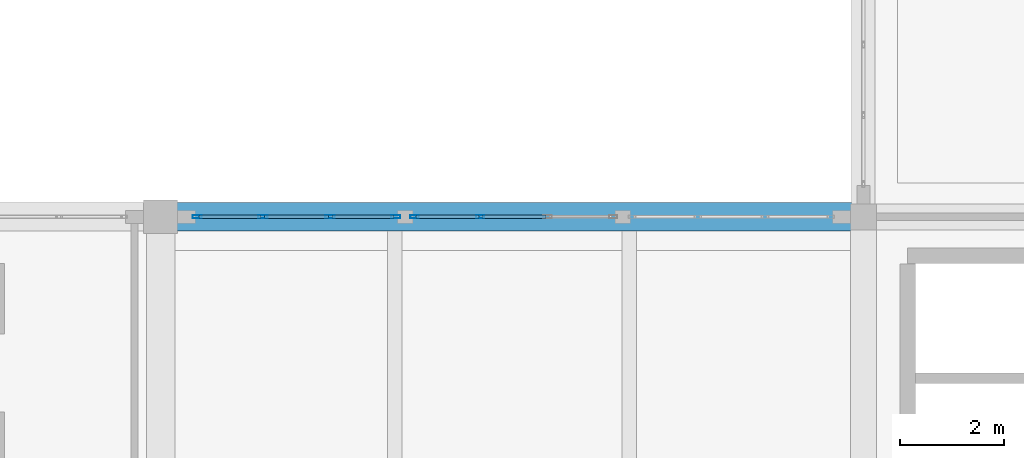
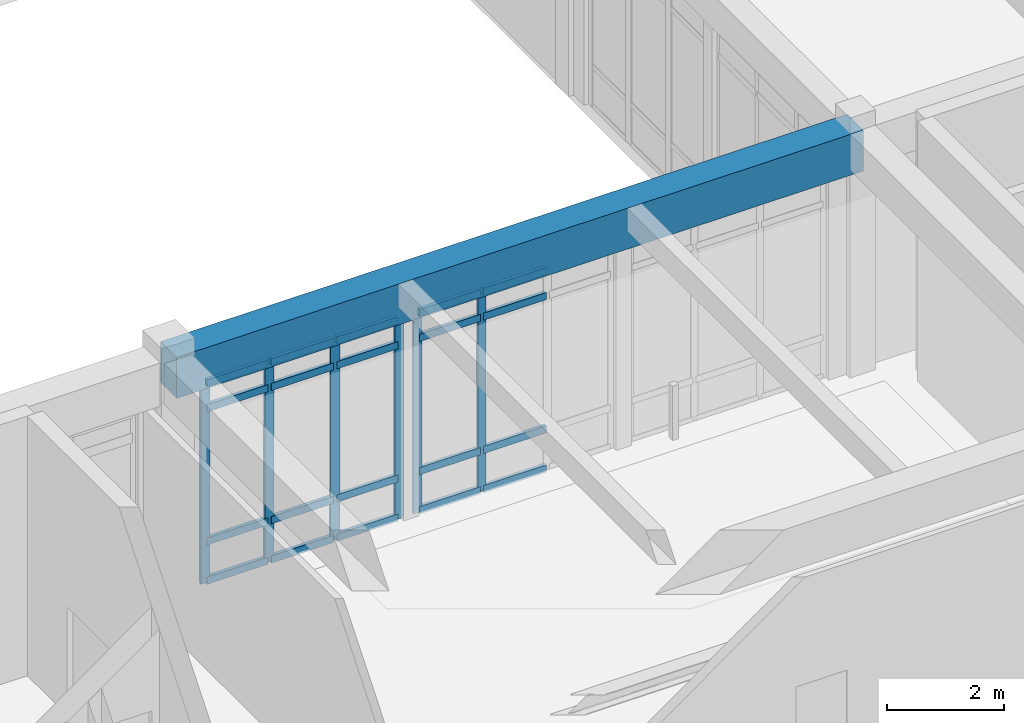
# One storey, part 8 of 138: 26 members, 1 beam, 2 elements without a shape of their own.
"""IFC4 building model written with IfcOpenShell, lengths in metres."""

import ifcopenshell
import ifcopenshell.guid

model = None  # the IFC model being written
_history = None  # IfcOwnerHistory: only IFC2X3 demands one
_inside = {}  # id of a spatial element -> (the spatial element, [elements in it])
_under = {}  # id of a project, library or spatial element -> (it, [spatial elements below it])
_declared = {}  # id of a project -> (the project, [libraries it declares])
_typed = {}  # id of a type object -> (the type object, [elements of that type])
_made_of = {}  # id of a material, layer set ... -> (it, [elements and type objects made of it])


def new_model(schema):
    """Start an empty IFC model of exactly this schema.

    Asked for "IFC4X3", IfcOpenShell would pick the latest addendum, in which some entities
    have other attributes; the version numbers below select the first issue.
    IFC2X3 requires an IfcOwnerHistory on every rooted entity: one is made here for all.
    """
    global model, _history
    if schema == "IFC4X3":
        model = ifcopenshell.file(schema_version=(4, 3, 0, 0))
    else:
        model = ifcopenshell.file(schema=schema)
    _inside.clear()
    _under.clear()
    _declared.clear()
    _typed.clear()
    _made_of.clear()
    _history = None
    if model.schema == "IFC2X3":
        org = make("IfcOrganization", Name="unknown")
        user = make(
            "IfcPersonAndOrganization",
            ThePerson=make("IfcPerson", FamilyName="unknown"),
            TheOrganization=org,
        )
        app = make(
            "IfcApplication",
            ApplicationDeveloper=org,
            Version="unknown",
            ApplicationFullName="unknown",
            ApplicationIdentifier="unknown",
        )
        _history = make(
            "IfcOwnerHistory",
            OwningUser=user,
            OwningApplication=app,
            ChangeAction="ADDED",
            CreationDate=0,
        )
    return model


def make(cls, **values):
    """One entity of the class cls with the attributes given. An attribute that is None is left unset."""
    return model.create_entity(
        cls, **{name: value for name, value in values.items() if value is not None}
    )


def rooted(cls, **values):
    """An entity with a GlobalId (a new one), such as an element, a storey or a relation."""
    return make(cls, GlobalId=ifcopenshell.guid.new(), OwnerHistory=_history, **values)


def si_unit(unit_type, name, prefix=None):
    """IfcSIUnit, for example si_unit("LENGTHUNIT", "METRE", prefix="MILLI")."""
    return make("IfcSIUnit", UnitType=unit_type, Prefix=prefix, Name=name)


def assignment(units):
    """IfcUnitAssignment: the units of a project."""
    return None if units is None else make("IfcUnitAssignment", Units=units)


def point(xyz):
    """IfcCartesianPoint."""
    return None if xyz is None else make("IfcCartesianPoint", Coordinates=xyz)


def direction(xyz):
    """IfcDirection."""
    return None if xyz is None else make("IfcDirection", DirectionRatios=xyz)


def frame(location, z_axis=None, x_axis=None):
    """IfcAxis2Placement3D, a coordinate frame: its origin and axes. An axis left out is left unset."""
    return make(
        "IfcAxis2Placement3D",
        Location=point(location),
        Axis=direction(z_axis),
        RefDirection=direction(x_axis),
    )


def frame_2d(location, x_axis=None):
    """IfcAxis2Placement2D, a coordinate frame in the plane: its origin and x axis."""
    return make(
        "IfcAxis2Placement2D", Location=point(location), RefDirection=direction(x_axis)
    )


def origin():
    """The frame at (0, 0, 0) with its axes left unset."""
    return frame((0.0, 0.0, 0.0))


def origin_2d():
    """The frame at (0, 0) in the plane with its x axis left unset."""
    return frame_2d((0.0, 0.0))


def place(relative_to, where):
    """IfcLocalPlacement: puts the frame where relative to a parent placement (None: the world)."""
    return make(
        "IfcLocalPlacement", PlacementRelTo=relative_to, RelativePlacement=where
    )


def context(
    kind, dimensions, precision=None, world=None, true_north=None, identifier=None
):
    """IfcGeometricRepresentationContext, for example the 3D "Model" context."""
    return make(
        "IfcGeometricRepresentationContext",
        ContextIdentifier=identifier,
        ContextType=kind,
        CoordinateSpaceDimension=dimensions,
        Precision=precision,
        WorldCoordinateSystem=world,
        TrueNorth=true_north,
    )


def subcontext(parent, identifier, kind, view, scale=None):
    """IfcGeometricRepresentationSubContext, for example "Body" below "Model"."""
    return make(
        "IfcGeometricRepresentationSubContext",
        ContextIdentifier=identifier,
        ContextType=kind,
        ParentContext=parent,
        TargetScale=scale,
        TargetView=view,
    )


def project(units=None, contexts=None):
    """IfcProject with its units and contexts."""
    return rooted(
        "IfcProject",
        Name="project",
        RepresentationContexts=contexts,
        UnitsInContext=assignment(units),
    )


def spatial(cls, under=None, at=None, **own):
    """A site, building, storey or space (cls), placed at a placement, below another one or the project."""
    s = rooted(cls, ObjectPlacement=at, **own)
    if under is not None:
        _under.setdefault(under.id(), (under, []))[1].append(s)
    return s


def profile(cls, at=None, kind="AREA", **sizes):
    """A parametric profile (cls). Its sizes go by their IFC names, for example OverallWidth=200.0."""
    return make(cls, ProfileType=kind, Position=at, **sizes)


def rectangle(**sizes):
    """IfcRectangleProfileDef."""
    return profile("IfcRectangleProfileDef", **sizes)


def hollow_rectangle(**sizes):
    """IfcRectangleHollowProfileDef."""
    return profile("IfcRectangleHollowProfileDef", **sizes)


def extrude(swept, where, along, depth):
    """IfcExtrudedAreaSolid: the profile swept, set in the frame where, extruded along a direction by depth."""
    return make(
        "IfcExtrudedAreaSolid",
        SweptArea=swept,
        Position=where,
        ExtrudedDirection=direction(along),
        Depth=depth,
    )


def shape(context_of_items, identifier, shape_type, items):
    """IfcShapeRepresentation: the items that make up one representation, for example the "Body"."""
    return make(
        "IfcShapeRepresentation",
        ContextOfItems=context_of_items,
        RepresentationIdentifier=identifier,
        RepresentationType=shape_type,
        Items=items,
    )


def material(Name=None, Category=None):
    """IfcMaterial."""
    return make("IfcMaterial", Name=Name, Category=Category)


def layer(
    of_material, thickness, ventilated=None, Name=None, Category=None, Priority=None
):
    """IfcMaterialLayer: one layer of a wall or slab, of a material (None: an air gap)."""
    return make(
        "IfcMaterialLayer",
        Material=of_material,
        LayerThickness=thickness,
        IsVentilated=ventilated,
        Name=Name,
        Category=Category,
        Priority=Priority,
    )


def layer_set(layers, Name=None):
    """IfcMaterialLayerSet."""
    return make("IfcMaterialLayerSet", MaterialLayers=layers, LayerSetName=Name)


def material_profile(
    of_material, cross_section, Name=None, Category=None, Priority=None
):
    """IfcMaterialProfile: a cross section and its material."""
    return make(
        "IfcMaterialProfile",
        Name=Name,
        Material=of_material,
        Profile=cross_section,
        Priority=Priority,
        Category=Category,
    )


def profile_set(profiles, Name=None, composite=None):
    """IfcMaterialProfileSet."""
    return make(
        "IfcMaterialProfileSet",
        Name=Name,
        MaterialProfiles=profiles,
        CompositeProfile=composite,
    )


def made_of(thing, what):
    """Note that an element or type object is made of a material, layer set ...; save() writes the relation."""
    if what is not None:
        _made_of.setdefault(what.id(), (what, []))[1].append(thing)
    return thing


def type_object(cls, material=None, **own):
    """A type object (cls), such as IfcWallType, which elements share."""
    return made_of(rooted(cls, **own), material)


def element(
    cls,
    number,
    at=None,
    inside=None,
    cuts=None,
    type_object=None,
    material=None,
    context=None,
    identifier="Body",
    shape_type=None,
    held_by="IfcProductDefinitionShape",
    body=None,
    shapes=None,
    **own,
):
    """One element of the class cls, such as IfcWall. Its Tag is "e" and its number.

    at: its placement. inside: the storey or other place that contains it. cuts: it is an
    opening in that element (IfcRelVoidsElement). A single representation is given by context,
    identifier, shape_type and body (its items); several are given by shapes. held_by: the class
    of the entity that holds the representations. save() writes the other relations.
    """
    e = rooted(cls, Tag="e%d" % number, ObjectPlacement=at, **own)
    if body is not None:
        shapes = [shape(context, identifier, shape_type, body)]
    if shapes is not None:
        e.Representation = make(held_by, Representations=shapes)
    if inside is not None:
        _inside.setdefault(inside.id(), (inside, []))[1].append(e)
    if cuts is not None:
        rooted(
            "IfcRelVoidsElement", RelatingBuildingElement=cuts, RelatedOpeningElement=e
        )
    if type_object is not None:
        _typed.setdefault(type_object.id(), (type_object, []))[1].append(e)
    return made_of(e, material)


def aggregate(whole, parts):
    """IfcRelAggregates: a whole, such as a stair, and the parts it consists of."""
    return rooted("IfcRelAggregates", RelatingObject=whole, RelatedObjects=parts)


def save(model, path):
    """Write the relations noted so far, then the file.

    IfcRelAggregates (storeys below a building ...), IfcRelContainedInSpatialStructure (elements
    in a storey), IfcRelDefinesByType, IfcRelAssociatesMaterial and IfcRelDeclares: one each for
    every whole, place, type object, material and project.
    """
    for whole, parts in _under.values():
        aggregate(whole, parts)
    for where, things in _inside.values():
        rooted(
            "IfcRelContainedInSpatialStructure",
            RelatedElements=things,
            RelatingStructure=where,
        )
    for kind, things in _typed.values():
        rooted("IfcRelDefinesByType", RelatedObjects=things, RelatingType=kind)
    for what, things in _made_of.values():
        rooted("IfcRelAssociatesMaterial", RelatedObjects=things, RelatingMaterial=what)
    for by, libraries in _declared.values():
        rooted("IfcRelDeclares", RelatingContext=by, RelatedDefinitions=libraries)
    model.write(path)


model = new_model("IFC4")

# Units and contexts
model_context = context("Model", 3, precision=1e-05, world=origin(), true_north=direction((0.0, 1.0)))
body_context = subcontext(model_context, "Body", "Model", "MODEL_VIEW")
ifc_project = project(units=[si_unit("LENGTHUNIT", "METRE"), si_unit("AREAUNIT", "SQUARE_METRE"), si_unit("VOLUMEUNIT", "CUBIC_METRE"), si_unit("PLANEANGLEUNIT", "RADIAN"), si_unit("MASSUNIT", "GRAM", prefix="KILO")], contexts=[model_context])

# Site, building, storey
site_placement = place(None, origin())
site = spatial("IfcSite", under=ifc_project, at=site_placement, CompositionType="ELEMENT")
building_placement = place(site_placement, origin())
building = spatial("IfcBuilding", under=site, at=building_placement, Name="Fikremerkos Civic Library", CompositionType="ELEMENT")
storey_placement = place(building_placement, origin())
storey = spatial("IfcBuildingStorey", under=building, at=storey_placement, Name="L00", CompositionType="ELEMENT", Elevation=0.0)

# Curtain wall, members
ifc_material_1 = material(Name="Anodized aluminium Frame", Category="aluminium")
ifc_layer_1 = layer(ifc_material_1, 0.159912109375, Name="Anodized aluminium Frame")
ifc_layer_set_1 = layer_set([ifc_layer_1], Name="Anodized aluminium Frame")
curtain_wall_type_1 = type_object("IfcCurtainWallType", Name="Unitised curtain wall CW-09 3600x3400", PredefinedType="USERDEFINED", material=ifc_layer_set_1)
curtain_wall_1_placement = place(storey_placement, origin())
curtain_wall_1 = element("IfcCurtainWall", 1, at=curtain_wall_1_placement, inside=storey, type_object=curtain_wall_type_1, Name="Unitised curtain wall CW-09 L00 #9", ObjectType="UNITISED CURTAIN WALL", PredefinedType="USERDEFINED")
ifc_material_profile_1 = material_profile(ifc_material_1, hollow_rectangle(XDim=0.06494140625, YDim=0.179931640625, WallThickness=0.00439453125, at=origin_2d()), Name="ALU 180x65x4.5")
ifc_profile_set_1 = profile_set([ifc_material_profile_1], Name="Anodized aluminium Frame")
member_type_1 = type_object("IfcMemberType", Name="Curtain mullion CWM-01 ALU 180x65x4.5", PredefinedType="MULLION", material=ifc_profile_set_1)
member_1_placement = place(storey_placement, frame((33.405517578125, 31.199951171875, 0.0), z_axis=(0.0, 0.0, 1.0), x_axis=(0.0, 1.0, 0.0)))
member_1 = element("IfcMember", 2, at=member_1_placement, type_object=member_type_1, Name="CW-09 mullion 1", PredefinedType="MULLION", context=body_context, shape_type="SweptSolid", body=[
    extrude(hollow_rectangle(XDim=0.06494140625, YDim=0.179931640625, WallThickness=0.00439453125, at=origin_2d()), origin(), (0.0, 0.0, 1.0), 4.169921875),
])
member_2_placement = place(storey_placement, frame((34.6650390625, 31.199951171875, 0.0), z_axis=(0.0, 0.0, 1.0), x_axis=(0.0, 1.0, 0.0)))
member_2 = element("IfcMember", 3, at=member_2_placement, type_object=member_type_1, Name="CW-09 mullion 2", PredefinedType="MULLION", context=body_context, shape_type="SweptSolid", body=[
    extrude(hollow_rectangle(XDim=0.06494140625, YDim=0.179931640625, WallThickness=0.00439453125, at=origin_2d()), origin(), (0.0, 0.0, 1.0), 4.169921875),
])
member_3_placement = place(storey_placement, frame((35.957275390625, 31.199951171875, 0.0), z_axis=(0.0, 0.0, 1.0), x_axis=(0.0, 1.0, 0.0)))
member_3 = element("IfcMember", 4, at=member_3_placement, type_object=member_type_1, Name="CW-09 mullion 3", PredefinedType="MULLION", context=body_context, shape_type="SweptSolid", body=[
    extrude(hollow_rectangle(XDim=0.06494140625, YDim=0.179931640625, WallThickness=0.00439453125, at=origin_2d()), origin(), (0.0, 0.0, 1.0), 4.169921875),
])
member_4_placement = place(storey_placement, frame((37.216796875, 31.199951171875, 0.0), z_axis=(0.0, 0.0, 1.0), x_axis=(0.0, 1.0, 0.0)))
member_4 = element("IfcMember", 5, at=member_4_placement, type_object=member_type_1, Name="CW-09 mullion 4", PredefinedType="MULLION", context=body_context, shape_type="SweptSolid", body=[
    extrude(hollow_rectangle(XDim=0.06494140625, YDim=0.179931640625, WallThickness=0.00439453125, at=origin_2d()), origin(), (0.0, 0.0, 1.0), 4.169921875),
])

ifc_layer_2 = layer(ifc_material_1, 0.159912109375, Name="Anodized aluminium Frame")
ifc_layer_set_2 = layer_set([ifc_layer_2], Name="Anodized aluminium Frame")
curtain_wall_type_2 = type_object("IfcCurtainWallType", Name="Unitised curtain wall CW-10 4000x3400", PredefinedType="USERDEFINED", material=ifc_layer_set_2)
curtain_wall_2_placement = place(storey_placement, origin())
curtain_wall_2 = element("IfcCurtainWall", 6, at=curtain_wall_2_placement, inside=storey, type_object=curtain_wall_type_2, Name="Unitised curtain wall CW-10 L00 #10", ObjectType="UNITISED CURTAIN WALL", PredefinedType="USERDEFINED")
ifc_material_profile_2 = material_profile(ifc_material_1, hollow_rectangle(XDim=0.06005859375, YDim=0.159912109375, WallThickness=0.00390625, at=origin_2d()), Name="ALU 160x60x4")
ifc_profile_set_2 = profile_set([ifc_material_profile_2], Name="Anodized aluminium Frame")
member_type_2 = type_object("IfcMemberType", Name="Curtain mullion CWM-02 ALU 160x60x4", PredefinedType="MULLION", material=ifc_profile_set_2)
member_5_placement = place(storey_placement, frame((37.579345703125, 31.199951171875, 0.0), z_axis=(0.0, 0.0, 1.0), x_axis=(0.0, 1.0, 0.0)))
member_5 = element("IfcMember", 7, at=member_5_placement, type_object=member_type_2, Name="CW-10 mullion 1", PredefinedType="MULLION", context=body_context, shape_type="SweptSolid", body=[
    extrude(hollow_rectangle(XDim=0.06005859375, YDim=0.159912109375, WallThickness=0.00390625, at=origin_2d()), origin(), (0.0, 0.0, 1.0), 4.169921875),
])
member_6_placement = place(storey_placement, frame((38.841552734375, 31.199951171875, 0.0), z_axis=(0.0, 0.0, 1.0), x_axis=(0.0, 1.0, 0.0)))
member_6 = element("IfcMember", 8, at=member_6_placement, type_object=member_type_2, Name="CW-10 mullion 2", PredefinedType="MULLION", context=body_context, shape_type="SweptSolid", body=[
    extrude(hollow_rectangle(XDim=0.06005859375, YDim=0.159912109375, WallThickness=0.00390625, at=origin_2d()), origin(), (0.0, 0.0, 1.0), 4.169921875),
])

# Member
ifc_material_profile_3 = material_profile(ifc_material_1, hollow_rectangle(XDim=0.070068359375, YDim=0.14990234375, WallThickness=0.00439453125, at=origin_2d()), Name="ALU 150x70x4.5")
ifc_profile_set_3 = profile_set([ifc_material_profile_3], Name="Anodized aluminium Frame")
member_type_3 = type_object("IfcMemberType", Name="Curtain transom CWT-01 ALU 150x70x4.5", PredefinedType="USERDEFINED", material=ifc_profile_set_3)
member_7_placement = place(storey_placement, frame((33.43798828125, 31.199951171875, 0.034912109375), z_axis=(1.0, 0.0, 0.0), x_axis=(0.0, 1.0, 0.0)))
member_7 = element("IfcMember", 9, at=member_7_placement, type_object=member_type_3, Name="CW-09 transom 1.1", ObjectType="TRANSOM", PredefinedType="USERDEFINED", context=body_context, shape_type="SweptSolid", body=[
    extrude(hollow_rectangle(XDim=0.070068359375, YDim=0.14990234375, WallThickness=0.00439453125, at=origin_2d()), origin(), (0.0, 0.0, 1.0), 1.194580078125),
])

member_8_placement = place(storey_placement, frame((33.43798828125, 31.199951171875, 0.85009765625), z_axis=(1.0, 0.0, 0.0), x_axis=(0.0, 1.0, 0.0)))
member_8 = element("IfcMember", 10, at=member_8_placement, type_object=member_type_3, Name="CW-09 transom 1.2", ObjectType="TRANSOM", PredefinedType="USERDEFINED", context=body_context, shape_type="SweptSolid", body=[
    extrude(hollow_rectangle(XDim=0.070068359375, YDim=0.14990234375, WallThickness=0.00439453125, at=origin_2d()), origin(), (0.0, 0.0, 1.0), 1.194580078125),
])

member_9_placement = place(storey_placement, frame((33.43798828125, 31.199951171875, 3.6201171875), z_axis=(1.0, 0.0, 0.0), x_axis=(0.0, 1.0, 0.0)))
member_9 = element("IfcMember", 11, at=member_9_placement, type_object=member_type_3, Name="CW-09 transom 1.3", ObjectType="TRANSOM", PredefinedType="USERDEFINED", context=body_context, shape_type="SweptSolid", body=[
    extrude(hollow_rectangle(XDim=0.070068359375, YDim=0.14990234375, WallThickness=0.00439453125, at=origin_2d()), origin(), (0.0, 0.0, 1.0), 1.194580078125),
])

member_10_placement = place(storey_placement, frame((33.43798828125, 31.199951171875, 4.135009765625), z_axis=(1.0, 0.0, 0.0), x_axis=(0.0, 1.0, 0.0)))
member_10 = element("IfcMember", 12, at=member_10_placement, type_object=member_type_3, Name="CW-09 transom 1.4", ObjectType="TRANSOM", PredefinedType="USERDEFINED", context=body_context, shape_type="SweptSolid", body=[
    extrude(hollow_rectangle(XDim=0.070068359375, YDim=0.14990234375, WallThickness=0.00439453125, at=origin_2d()), origin(), (0.0, 0.0, 1.0), 1.194580078125),
])

member_11_placement = place(storey_placement, frame((34.697509765625, 31.199951171875, 0.034912109375), z_axis=(1.0, 0.0, 0.0), x_axis=(0.0, 1.0, 0.0)))
member_11 = element("IfcMember", 13, at=member_11_placement, type_object=member_type_3, Name="CW-09 transom 2.1", ObjectType="TRANSOM", PredefinedType="USERDEFINED", context=body_context, shape_type="SweptSolid", body=[
    extrude(hollow_rectangle(XDim=0.070068359375, YDim=0.14990234375, WallThickness=0.00439453125, at=origin_2d()), origin(), (0.0, 0.0, 1.0), 1.227294921875),
])

member_12_placement = place(storey_placement, frame((34.697509765625, 31.199951171875, 0.85009765625), z_axis=(1.0, 0.0, 0.0), x_axis=(0.0, 1.0, 0.0)))
member_12 = element("IfcMember", 14, at=member_12_placement, type_object=member_type_3, Name="CW-09 transom 2.2", ObjectType="TRANSOM", PredefinedType="USERDEFINED", context=body_context, shape_type="SweptSolid", body=[
    extrude(hollow_rectangle(XDim=0.070068359375, YDim=0.14990234375, WallThickness=0.00439453125, at=origin_2d()), origin(), (0.0, 0.0, 1.0), 1.227294921875),
])

member_13_placement = place(storey_placement, frame((34.697509765625, 31.199951171875, 3.6201171875), z_axis=(1.0, 0.0, 0.0), x_axis=(0.0, 1.0, 0.0)))
member_13 = element("IfcMember", 15, at=member_13_placement, type_object=member_type_3, Name="CW-09 transom 2.3", ObjectType="TRANSOM", PredefinedType="USERDEFINED", context=body_context, shape_type="SweptSolid", body=[
    extrude(hollow_rectangle(XDim=0.070068359375, YDim=0.14990234375, WallThickness=0.00439453125, at=origin_2d()), origin(), (0.0, 0.0, 1.0), 1.227294921875),
])

member_14_placement = place(storey_placement, frame((34.697509765625, 31.199951171875, 4.135009765625), z_axis=(1.0, 0.0, 0.0), x_axis=(0.0, 1.0, 0.0)))
member_14 = element("IfcMember", 16, at=member_14_placement, type_object=member_type_3, Name="CW-09 transom 2.4", ObjectType="TRANSOM", PredefinedType="USERDEFINED", context=body_context, shape_type="SweptSolid", body=[
    extrude(hollow_rectangle(XDim=0.070068359375, YDim=0.14990234375, WallThickness=0.00439453125, at=origin_2d()), origin(), (0.0, 0.0, 1.0), 1.227294921875),
])

member_15_placement = place(storey_placement, frame((35.98974609375, 31.199951171875, 0.034912109375), z_axis=(1.0, 0.0, 0.0), x_axis=(0.0, 1.0, 0.0)))
member_15 = element("IfcMember", 17, at=member_15_placement, type_object=member_type_3, Name="CW-09 transom 3.1", ObjectType="TRANSOM", PredefinedType="USERDEFINED", context=body_context, shape_type="SweptSolid", body=[
    extrude(hollow_rectangle(XDim=0.070068359375, YDim=0.14990234375, WallThickness=0.00439453125, at=origin_2d()), origin(), (0.0, 0.0, 1.0), 1.194580078125),
])

member_16_placement = place(storey_placement, frame((35.98974609375, 31.199951171875, 0.85009765625), z_axis=(1.0, 0.0, 0.0), x_axis=(0.0, 1.0, 0.0)))
member_16 = element("IfcMember", 18, at=member_16_placement, type_object=member_type_3, Name="CW-09 transom 3.2", ObjectType="TRANSOM", PredefinedType="USERDEFINED", context=body_context, shape_type="SweptSolid", body=[
    extrude(hollow_rectangle(XDim=0.070068359375, YDim=0.14990234375, WallThickness=0.00439453125, at=origin_2d()), origin(), (0.0, 0.0, 1.0), 1.194580078125),
])

member_17_placement = place(storey_placement, frame((35.98974609375, 31.199951171875, 3.6201171875), z_axis=(1.0, 0.0, 0.0), x_axis=(0.0, 1.0, 0.0)))
member_17 = element("IfcMember", 19, at=member_17_placement, type_object=member_type_3, Name="CW-09 transom 3.3", ObjectType="TRANSOM", PredefinedType="USERDEFINED", context=body_context, shape_type="SweptSolid", body=[
    extrude(hollow_rectangle(XDim=0.070068359375, YDim=0.14990234375, WallThickness=0.00439453125, at=origin_2d()), origin(), (0.0, 0.0, 1.0), 1.194580078125),
])

member_18_placement = place(storey_placement, frame((35.98974609375, 31.199951171875, 4.135009765625), z_axis=(1.0, 0.0, 0.0), x_axis=(0.0, 1.0, 0.0)))
member_18 = element("IfcMember", 20, at=member_18_placement, type_object=member_type_3, Name="CW-09 transom 3.4", ObjectType="TRANSOM", PredefinedType="USERDEFINED", context=body_context, shape_type="SweptSolid", body=[
    extrude(hollow_rectangle(XDim=0.070068359375, YDim=0.14990234375, WallThickness=0.00439453125, at=origin_2d()), origin(), (0.0, 0.0, 1.0), 1.194580078125),
])

aggregate(curtain_wall_1, [member_1, member_2, member_3, member_4, member_7, member_8, member_9, member_10, member_11, member_12, member_13, member_14, member_15, member_16, member_17, member_18])

member_19_placement = place(storey_placement, frame((37.609375, 31.199951171875, 0.034912109375), z_axis=(1.0, 0.0, 0.0), x_axis=(0.0, 1.0, 0.0)))
member_19 = element("IfcMember", 21, at=member_19_placement, type_object=member_type_3, Name="CW-10 transom 1.1", ObjectType="TRANSOM", PredefinedType="USERDEFINED", context=body_context, shape_type="SweptSolid", body=[
    extrude(hollow_rectangle(XDim=0.070068359375, YDim=0.14990234375, WallThickness=0.00439453125, at=origin_2d()), origin(), (0.0, 0.0, 1.0), 1.2021484375),
])

member_20_placement = place(storey_placement, frame((37.609375, 31.199951171875, 0.85009765625), z_axis=(1.0, 0.0, 0.0), x_axis=(0.0, 1.0, 0.0)))
member_20 = element("IfcMember", 22, at=member_20_placement, type_object=member_type_3, Name="CW-10 transom 1.2", ObjectType="TRANSOM", PredefinedType="USERDEFINED", context=body_context, shape_type="SweptSolid", body=[
    extrude(hollow_rectangle(XDim=0.070068359375, YDim=0.14990234375, WallThickness=0.00439453125, at=origin_2d()), origin(), (0.0, 0.0, 1.0), 1.2021484375),
])

member_21_placement = place(storey_placement, frame((37.609375, 31.199951171875, 3.6201171875), z_axis=(1.0, 0.0, 0.0), x_axis=(0.0, 1.0, 0.0)))
member_21 = element("IfcMember", 23, at=member_21_placement, type_object=member_type_3, Name="CW-10 transom 1.3", ObjectType="TRANSOM", PredefinedType="USERDEFINED", context=body_context, shape_type="SweptSolid", body=[
    extrude(hollow_rectangle(XDim=0.070068359375, YDim=0.14990234375, WallThickness=0.00439453125, at=origin_2d()), origin(), (0.0, 0.0, 1.0), 1.2021484375),
])

member_22_placement = place(storey_placement, frame((37.609375, 31.199951171875, 4.135009765625), z_axis=(1.0, 0.0, 0.0), x_axis=(0.0, 1.0, 0.0)))
member_22 = element("IfcMember", 24, at=member_22_placement, type_object=member_type_3, Name="CW-10 transom 1.4", ObjectType="TRANSOM", PredefinedType="USERDEFINED", context=body_context, shape_type="SweptSolid", body=[
    extrude(hollow_rectangle(XDim=0.070068359375, YDim=0.14990234375, WallThickness=0.00439453125, at=origin_2d()), origin(), (0.0, 0.0, 1.0), 1.2021484375),
])

member_23_placement = place(storey_placement, frame((38.871337890625, 31.199951171875, 0.034912109375), z_axis=(1.0, 0.0, 0.0), x_axis=(0.0, 1.0, 0.0)))
member_23 = element("IfcMember", 25, at=member_23_placement, type_object=member_type_3, Name="CW-10 transom 2.1", ObjectType="TRANSOM", PredefinedType="USERDEFINED", context=body_context, shape_type="SweptSolid", body=[
    extrude(hollow_rectangle(XDim=0.070068359375, YDim=0.14990234375, WallThickness=0.00439453125, at=origin_2d()), origin(), (0.0, 0.0, 1.0), 1.232177734375),
])

member_24_placement = place(storey_placement, frame((38.871337890625, 31.199951171875, 0.85009765625), z_axis=(1.0, 0.0, 0.0), x_axis=(0.0, 1.0, 0.0)))
member_24 = element("IfcMember", 26, at=member_24_placement, type_object=member_type_3, Name="CW-10 transom 2.2", ObjectType="TRANSOM", PredefinedType="USERDEFINED", context=body_context, shape_type="SweptSolid", body=[
    extrude(hollow_rectangle(XDim=0.070068359375, YDim=0.14990234375, WallThickness=0.00439453125, at=origin_2d()), origin(), (0.0, 0.0, 1.0), 1.232177734375),
])

member_25_placement = place(storey_placement, frame((38.871337890625, 31.199951171875, 3.6201171875), z_axis=(1.0, 0.0, 0.0), x_axis=(0.0, 1.0, 0.0)))
member_25 = element("IfcMember", 27, at=member_25_placement, type_object=member_type_3, Name="CW-10 transom 2.3", ObjectType="TRANSOM", PredefinedType="USERDEFINED", context=body_context, shape_type="SweptSolid", body=[
    extrude(hollow_rectangle(XDim=0.070068359375, YDim=0.14990234375, WallThickness=0.00439453125, at=origin_2d()), origin(), (0.0, 0.0, 1.0), 1.232177734375),
])

member_26_placement = place(storey_placement, frame((38.871337890625, 31.199951171875, 4.135009765625), z_axis=(1.0, 0.0, 0.0), x_axis=(0.0, 1.0, 0.0)))
member_26 = element("IfcMember", 28, at=member_26_placement, type_object=member_type_3, Name="CW-10 transom 2.4", ObjectType="TRANSOM", PredefinedType="USERDEFINED", context=body_context, shape_type="SweptSolid", body=[
    extrude(hollow_rectangle(XDim=0.070068359375, YDim=0.14990234375, WallThickness=0.00439453125, at=origin_2d()), origin(), (0.0, 0.0, 1.0), 1.232177734375),
])

aggregate(curtain_wall_2, [member_5, member_6, member_19, member_20, member_21, member_22, member_23, member_24, member_25, member_26])

# Beam
ifc_material_2 = material(Name="Concrete C40/50", Category="concrete")
ifc_material_profile_4 = material_profile(ifc_material_2, rectangle(XDim=0.550048828125, YDim=0.85009765625, at=origin_2d()), Name="RC 550x850")
ifc_profile_set_4 = profile_set([ifc_material_profile_4], Name="Concrete C40/50")
beam_type = type_object("IfcBeamType", Name="Primary girder BM-03 RC 550x850", PredefinedType="BEAM", material=ifc_profile_set_4)
beam_placement = place(storey_placement, frame((32.699951171875, 31.199951171875, 4.655029296875), z_axis=(1.0, 0.0, 0.0), x_axis=(0.0, 1.0, 0.0)))
element("IfcBeam", 29, at=beam_placement, inside=storey, type_object=beam_type, Name="Primary girder BM-03 L00 grid G", PredefinedType="BEAM", context=body_context, shape_type="SweptSolid", body=[
    extrude(rectangle(XDim=0.550048828125, YDim=0.85009765625, at=origin_2d()), origin(), (0.0, 0.0, 1.0), 13.5),
])

save(model, "model.ifc")
